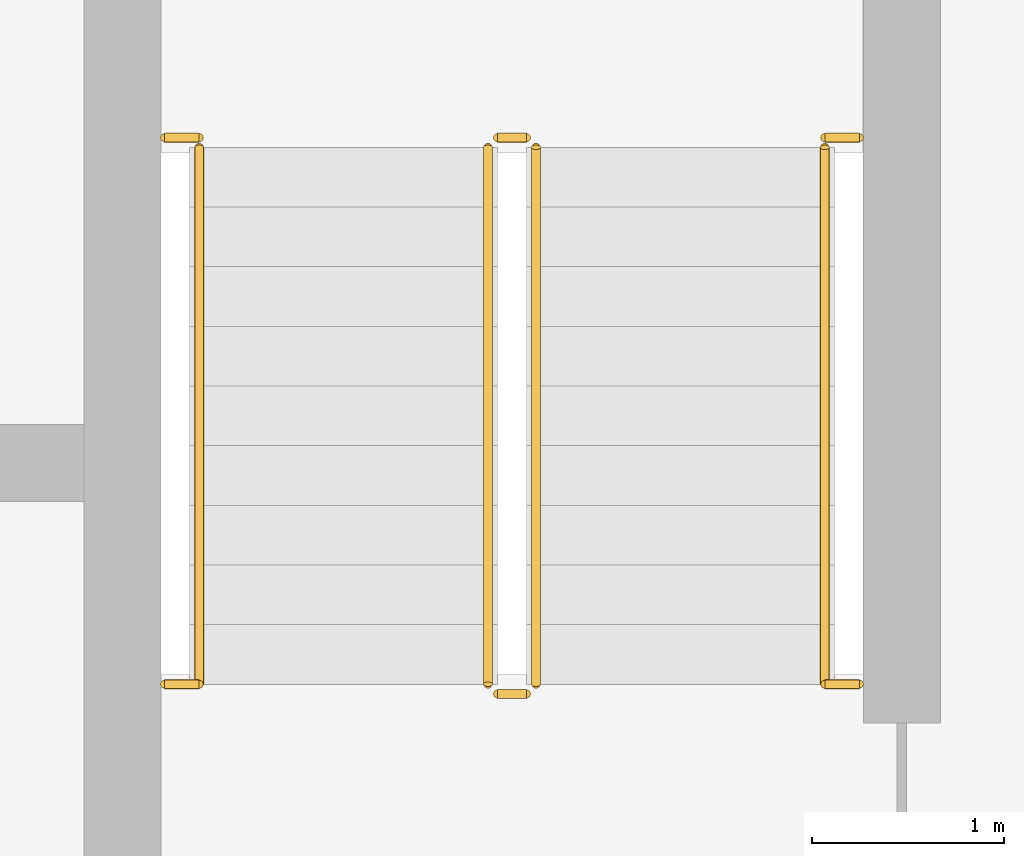
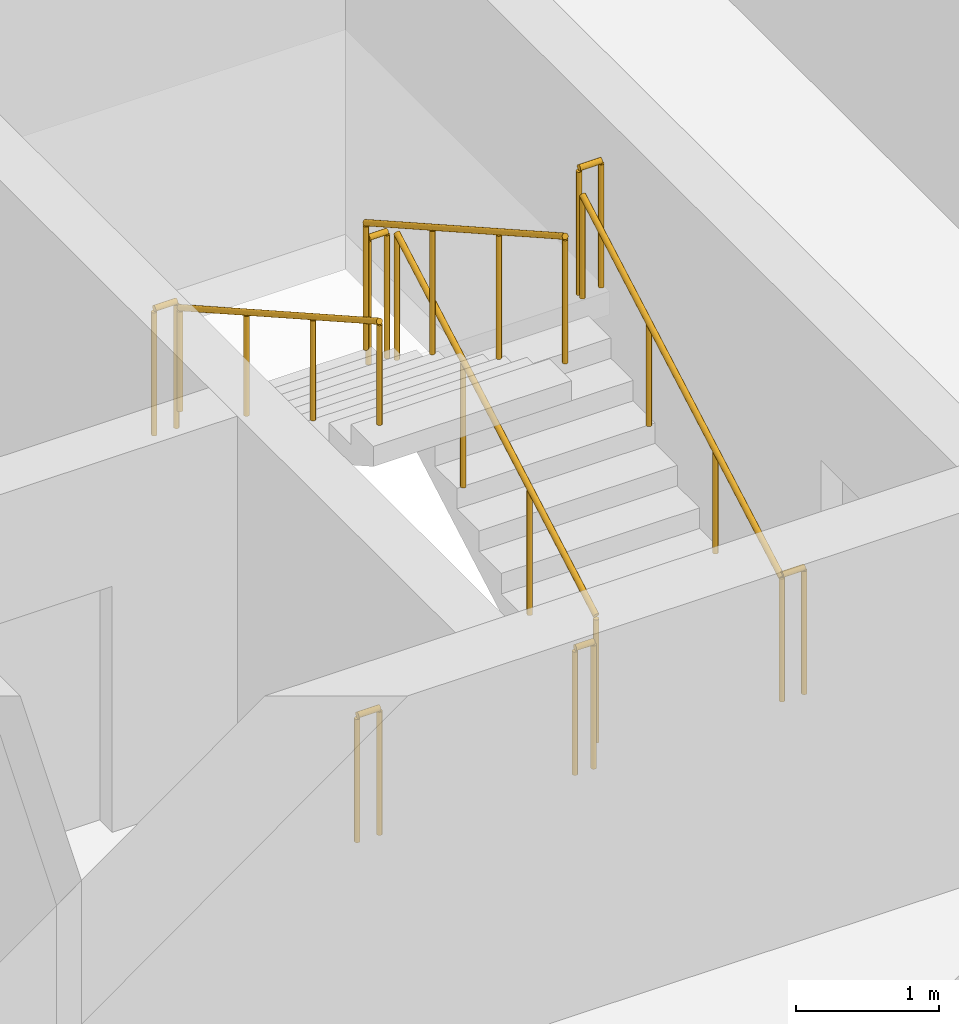
# One storey, part 20 of 22: 10 railings.
"""IFC4 building model written with IfcOpenShell, lengths in metres."""

from ifc_helpers import new_model, si_unit, direction, frame, origin, origin_2d, place, context, subcontext, project, spatial, circle, extrude, material, type_object, element, save


model = new_model("IFC4")

# Units and contexts
model_context = context("Model", 3, precision=1e-05, world=origin(), true_north=direction((0.0, 1.0)))
body_context = subcontext(model_context, "Body", "Model", "MODEL_VIEW")
ifc_project = project(units=[si_unit("LENGTHUNIT", "METRE"), si_unit("AREAUNIT", "SQUARE_METRE"), si_unit("VOLUMEUNIT", "CUBIC_METRE"), si_unit("PLANEANGLEUNIT", "RADIAN"), si_unit("MASSUNIT", "GRAM", prefix="KILO")], contexts=[model_context])

# Site, building, storey
site_placement = place(None, origin())
site = spatial("IfcSite", under=ifc_project, at=site_placement, CompositionType="ELEMENT")
building_placement = place(site_placement, origin())
building = spatial("IfcBuilding", under=site, at=building_placement, Name="Madar Terraces", CompositionType="ELEMENT")
storey_placement = place(building_placement, frame((0.0, 0.0, 279.10009765625)))
storey = spatial("IfcBuildingStorey", under=building, at=storey_placement, Name="L73", CompositionType="ELEMENT", Elevation=279.10009765625)

# Railings
ifc_material_1 = material(Name="Stainless steel railing", Category="steel")
railing_type_1 = type_object("IfcRailingType", Name="Stair guard 1100", PredefinedType="GUARDRAIL", material=ifc_material_1)
railing_1_placement = place(storey_placement, frame((41.449951171875, 17.60009765625, 0.1748046875)))
element("IfcRailing", 1, at=railing_1_placement, inside=storey, type_object=railing_type_1, Name="L73 ST3 stair guard 1", PredefinedType="GUARDRAIL", context=body_context, shape_type="SweptSolid", body=[
    extrude(circle(Radius=0.02392578125, at=origin_2d()), frame((0.0, 0.0, 1.076171875), z_axis=(0.0, 0.870782738816, 0.491667999549), x_axis=(-1.0, 0.0, 0.0)), (0.0, 0.0, 1.0), 3.203857421875),
    extrude(circle(Radius=0.02099609375, at=origin_2d()), origin(), (0.0, 0.0, 1.0), 1.052001953125),
    extrude(circle(Radius=0.02099609375, at=origin_2d()), frame((0.0, 0.929931640625, 0.525146484375)), (0.0, 0.0, 1.0), 1.052001953125),
    extrude(circle(Radius=0.02099609375, at=origin_2d()), frame((0.0, 1.85986328125, 1.050048828125)), (0.0, 0.0, 1.0), 1.052001953125),
    extrude(circle(Radius=0.02099609375, at=origin_2d()), frame((0.0, 2.789794921875, 1.5751953125)), (0.0, 0.0, 1.0), 1.052001953125),
])
railing_2_placement = place(storey_placement, frame((41.39990234375, 20.43994140625, 1.75)))
element("IfcRailing", 2, at=railing_2_placement, inside=storey, type_object=railing_type_1, Name="L73 ST3 stair guard 2", PredefinedType="GUARDRAIL", context=body_context, shape_type="SweptSolid", body=[
    extrude(circle(Radius=0.02392578125, at=origin_2d()), frame((0.0, 0.0, 1.076171875), z_axis=(-1.0, 0.0, 0.0), x_axis=(0.0, -1.0, 0.0)), (0.0, 0.0, 1.0), 0.14990234375),
    extrude(circle(Radius=0.02099609375, at=origin_2d()), origin(), (0.0, 0.0, 1.0), 1.052001953125),
    extrude(circle(Radius=0.02099609375, at=origin_2d()), frame((-0.14990234375, 0.0, 0.0)), (0.0, 0.0, 1.0), 1.052001953125),
])
railing_3_placement = place(storey_placement, frame((41.199951171875, 20.389892578125, 1.9248046875)))
element("IfcRailing", 3, at=railing_3_placement, inside=storey, type_object=railing_type_1, Name="L73 ST3 stair guard 3", PredefinedType="GUARDRAIL", context=body_context, shape_type="SweptSolid", body=[
    extrude(circle(Radius=0.02392578125, at=origin_2d()), frame((0.0, 0.0, 1.076171875), z_axis=(0.0, -0.870782738816, 0.491667999549), x_axis=(1.0, 0.0, 0.0)), (0.0, 0.0, 1.0), 3.203857421875),
    extrude(circle(Radius=0.02099609375, at=origin_2d()), origin(), (0.0, 0.0, 1.0), 1.052001953125),
    extrude(circle(Radius=0.02099609375, at=origin_2d()), frame((0.0, -0.929931640625, 0.525146484375)), (0.0, 0.0, 1.0), 1.052001953125),
    extrude(circle(Radius=0.02099609375, at=origin_2d()), frame((0.0, -1.85986328125, 1.050048828125)), (0.0, 0.0, 1.0), 1.052001953125),
    extrude(circle(Radius=0.02099609375, at=origin_2d()), frame((0.0, -2.789794921875, 1.5751953125)), (0.0, 0.0, 1.0), 1.052001953125),
])
railing_4_placement = place(storey_placement, frame((41.39990234375, 17.550048828125, 0.0)))
element("IfcRailing", 4, at=railing_4_placement, inside=storey, type_object=railing_type_1, Name="L73 ST3 stair guard 4", PredefinedType="GUARDRAIL", context=body_context, shape_type="SweptSolid", body=[
    extrude(circle(Radius=0.02392578125, at=origin_2d()), frame((0.0, 0.0, 1.076171875), z_axis=(-1.0, 0.0, 0.0), x_axis=(0.0, -1.0, 0.0)), (0.0, 0.0, 1.0), 0.14990234375),
    extrude(circle(Radius=0.02099609375, at=origin_2d()), origin(), (0.0, 0.0, 1.0), 1.052001953125),
    extrude(circle(Radius=0.02099609375, at=origin_2d()), frame((-0.14990234375, 0.0, 0.0)), (0.0, 0.0, 1.0), 1.052001953125),
])
for number, where, name in (
    (5, (39.52001953125, 20.43994140625, 1.75), "L73 stair guard seat 1"),
    (6, (42.949951171875, 20.43994140625, 1.75), "L73 stair guard seat 2"),
    (7, (39.52001953125, 17.60009765625, 0.0), "L73 stair guard floor 1"),
    (8, (42.949951171875, 17.60009765625, 0.0), "L73 stair guard floor 2"),
):
    element("IfcRailing", number, at=place(storey_placement, frame(where)), inside=storey, type_object=railing_type_1, Name=name, PredefinedType="GUARDRAIL", context=body_context, shape_type="SweptSolid", body=[
        extrude(circle(Radius=0.02392578125, at=origin_2d()), frame((0.0, 0.0, 1.076171875), z_axis=(1.0, 0.0, 0.0), x_axis=(0.0, 1.0, 0.0)), (0.0, 0.0, 1.0), 0.179931640625),
        extrude(circle(Radius=0.02099609375, at=origin_2d()), origin(), (0.0, 0.0, 1.0), 1.052001953125),
        extrude(circle(Radius=0.02099609375, at=origin_2d()), frame((0.179931640625, 0.0, 0.0)), (0.0, 0.0, 1.0), 1.052001953125),
    ])
ifc_material_2 = material(Name="Stainless steel railing", Category="steel")
railing_type_2 = type_object("IfcRailingType", Name="Stair handrail 900", PredefinedType="HANDRAIL", material=ifc_material_2)
railing_5_placement = place(storey_placement, frame((42.949951171875, 17.60009765625, 0.1748046875)))
element("IfcRailing", 9, at=railing_5_placement, inside=storey, type_object=railing_type_2, Name="L73 ST3 stair handrail 1", PredefinedType="HANDRAIL", context=body_context, shape_type="SweptSolid", body=[
    extrude(circle(Radius=0.02392578125, at=origin_2d()), frame((0.0, 0.0, 0.8759765625), z_axis=(0.0, 0.870782738816, 0.491667999549), x_axis=(-1.0, 0.0, 0.0)), (0.0, 0.0, 1.0), 3.203857421875),
    extrude(circle(Radius=0.02099609375, at=origin_2d()), origin(), (0.0, 0.0, 1.0), 0.851806640625),
    extrude(circle(Radius=0.02099609375, at=origin_2d()), frame((0.0, 0.929931640625, 0.525146484375)), (0.0, 0.0, 1.0), 0.851806640625),
    extrude(circle(Radius=0.02099609375, at=origin_2d()), frame((0.0, 1.85986328125, 1.050048828125)), (0.0, 0.0, 1.0), 0.851806640625),
    extrude(circle(Radius=0.02099609375, at=origin_2d()), frame((0.0, 2.789794921875, 1.5751953125)), (0.0, 0.0, 1.0), 0.851806640625),
])
railing_6_placement = place(storey_placement, frame((39.699951171875, 20.389892578125, 1.9248046875)))
element("IfcRailing", 10, at=railing_6_placement, inside=storey, type_object=railing_type_2, Name="L73 ST3 stair handrail 2", PredefinedType="HANDRAIL", context=body_context, shape_type="SweptSolid", body=[
    extrude(circle(Radius=0.02392578125, at=origin_2d()), frame((0.0, 0.0, 0.8759765625), z_axis=(0.0, -0.870782738816, 0.491667999549), x_axis=(1.0, 0.0, 0.0)), (0.0, 0.0, 1.0), 3.203857421875),
    extrude(circle(Radius=0.02099609375, at=origin_2d()), origin(), (0.0, 0.0, 1.0), 0.851806640625),
    extrude(circle(Radius=0.02099609375, at=origin_2d()), frame((0.0, -0.929931640625, 0.525146484375)), (0.0, 0.0, 1.0), 0.851806640625),
    extrude(circle(Radius=0.02099609375, at=origin_2d()), frame((0.0, -1.85986328125, 1.050048828125)), (0.0, 0.0, 1.0), 0.851806640625),
    extrude(circle(Radius=0.02099609375, at=origin_2d()), frame((0.0, -2.789794921875, 1.5751953125)), (0.0, 0.0, 1.0), 0.851806640625),
])

save(model, "model.ifc")
